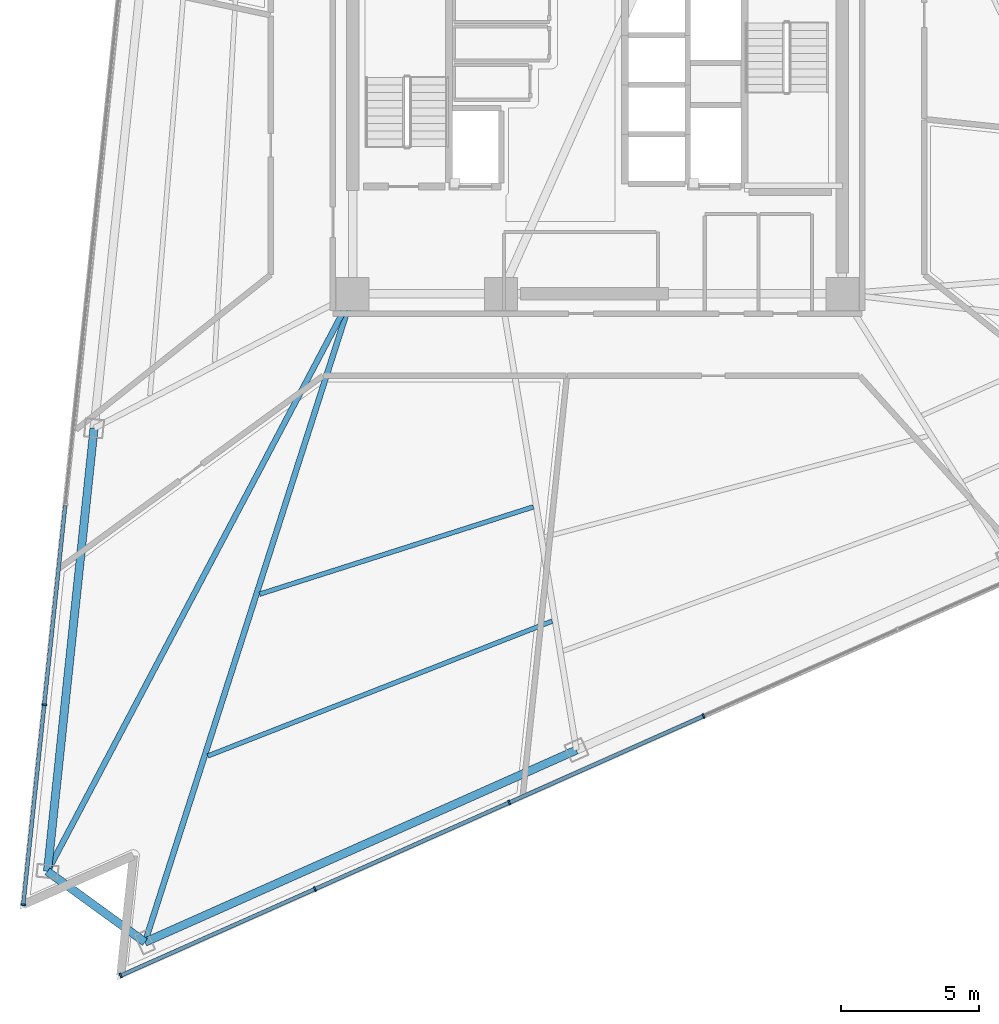
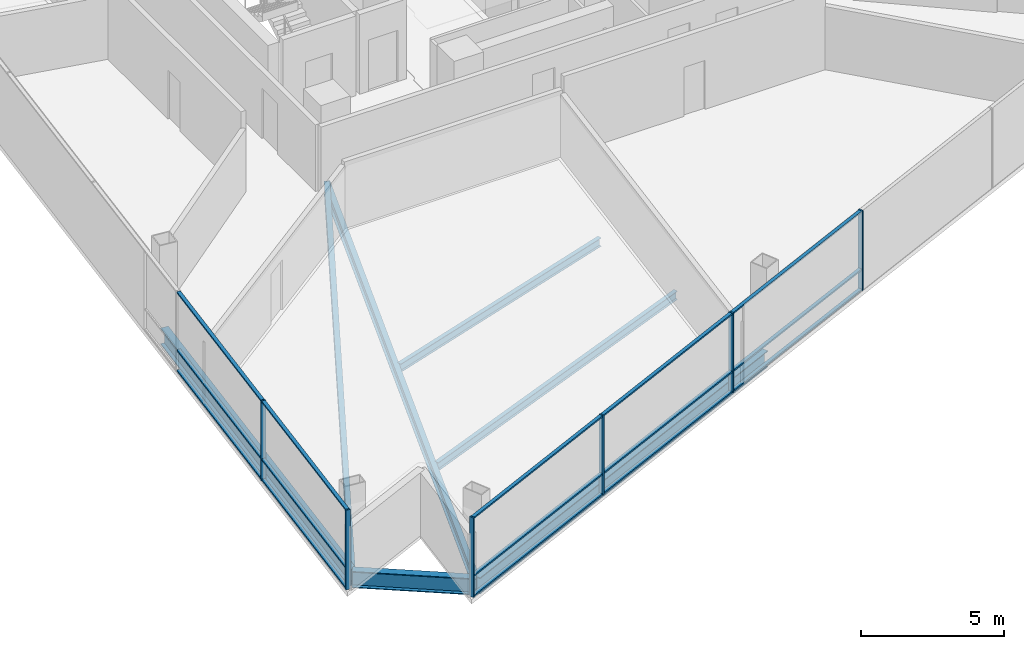
# One storey, part 2 of 19: 21 members, 7 beams, 2 elements without a shape of their own.
"""IFC4 building model written with IfcOpenShell, lengths in metres."""

from ifc_helpers import new_model, si_unit, direction, frame, origin, origin_2d, place, context, subcontext, project, spatial, rectangle, i_section, extrude, material, layer, layer_set, material_profile, profile_set, type_object, element, aggregate, save


model = new_model("IFC4")

# Units and contexts
model_context = context("Model", 3, precision=1e-05, world=origin(), true_north=direction((0.0, 1.0)))
body_context = subcontext(model_context, "Body", "Model", "MODEL_VIEW")
ifc_project = project(units=[si_unit("LENGTHUNIT", "METRE"), si_unit("AREAUNIT", "SQUARE_METRE"), si_unit("VOLUMEUNIT", "CUBIC_METRE"), si_unit("PLANEANGLEUNIT", "RADIAN"), si_unit("MASSUNIT", "GRAM", prefix="KILO")], contexts=[model_context])

# Site, building, storey
site_placement = place(None, origin())
site = spatial("IfcSite", under=ifc_project, at=site_placement, CompositionType="ELEMENT")
building_placement = place(site_placement, origin())
building = spatial("IfcBuilding", under=site, at=building_placement, Name="Tharavind Bronze Gate", CompositionType="ELEMENT")
storey_placement = place(building_placement, frame((0.0, 0.0, 116.050048828125)))
storey = spatial("IfcBuildingStorey", under=building, at=storey_placement, Name="L29", CompositionType="ELEMENT", Elevation=116.050048828125)

# Curtain wall, members
ifc_material_1 = material(Name="Anodised Bronze Aluminium", Category="aluminium")
ifc_layer = layer(ifc_material_1, 0.219970703125)
ifc_layer_set = layer_set([ifc_layer], Name="Anodised Bronze Aluminium")
curtain_wall_type = type_object("IfcCurtainWallType", Name="UNITISED CURTAIN WALL LOWER OFFICE", PredefinedType="USERDEFINED", material=ifc_layer_set)
curtain_wall_1_placement = place(storey_placement, origin())
curtain_wall_1 = element("IfcCurtainWall", 1, at=curtain_wall_1_placement, inside=storey, type_object=curtain_wall_type, Name="L29 unitised curtain wall lower office CW-L29-S1", ObjectType="UNITISED CURTAIN WALL", PredefinedType="USERDEFINED")
member_type_1 = type_object("IfcMemberType", Name="CURTAIN WALL BRONZE MULLION 65X180", PredefinedType="MULLION", material=ifc_material_1)
member_1_placement = place(storey_placement, frame((-20.1142578125, -22.5380859375, 0.0), z_axis=(0.0, 0.0, 1.0), x_axis=(-0.104526727499, -0.994522077803, 0.0)))
member_1 = element("IfcMember", 2, at=member_1_placement, type_object=member_type_1, Name="CW-L29-S1 mullion 7", PredefinedType="MULLION", context=body_context, shape_type="SweptSolid", body=[
    extrude(rectangle(XDim=0.06494140625, YDim=0.179931640625, at=origin_2d()), origin(), (0.0, 0.0, 1.0), 3.409912109375),
])
member_2_placement = place(storey_placement, frame((-20.878662109375, -29.811279296875, 0.0), z_axis=(0.0, 0.0, 1.0), x_axis=(-0.104526727499, -0.994522077803, 0.0)))
member_2 = element("IfcMember", 3, at=member_2_placement, type_object=member_type_1, Name="CW-L29-S1 mullion 8", PredefinedType="MULLION", context=body_context, shape_type="SweptSolid", body=[
    extrude(rectangle(XDim=0.06494140625, YDim=0.179931640625, at=origin_2d()), origin(), (0.0, 0.0, 1.0), 3.409912109375),
])

curtain_wall_2_placement = place(storey_placement, origin())
curtain_wall_2 = element("IfcCurtainWall", 4, at=curtain_wall_2_placement, inside=storey, type_object=curtain_wall_type, Name="L29 unitised curtain wall lower office CW-L29-S2", ObjectType="UNITISED CURTAIN WALL", PredefinedType="USERDEFINED")
member_3_placement = place(storey_placement, frame((-17.335205078125, -32.3857421875, 0.0), z_axis=(0.0, 0.0, 1.0), x_axis=(0.913545457643, 0.406736643076, 0.0)))
member_3 = element("IfcMember", 5, at=member_3_placement, type_object=member_type_1, Name="CW-L29-S2 mullion 1", PredefinedType="MULLION", context=body_context, shape_type="SweptSolid", body=[
    extrude(rectangle(XDim=0.06494140625, YDim=0.179931640625, at=origin_2d()), origin(), (0.0, 0.0, 1.0), 3.409912109375),
])
member_4_placement = place(storey_placement, frame((-10.273193359375, -29.241455078125, 0.0), z_axis=(0.0, 0.0, 1.0), x_axis=(0.913545457643, 0.406736643076, 0.0)))
member_4 = element("IfcMember", 6, at=member_4_placement, type_object=member_type_1, Name="CW-L29-S2 mullion 2", PredefinedType="MULLION", context=body_context, shape_type="SweptSolid", body=[
    extrude(rectangle(XDim=0.06494140625, YDim=0.179931640625, at=origin_2d()), origin(), (0.0, 0.0, 1.0), 3.409912109375),
])
member_5_placement = place(storey_placement, frame((-3.2109375, -26.097412109375, 0.0), z_axis=(0.0, 0.0, 1.0), x_axis=(0.913545457643, 0.406736643076, 0.0)))
member_5 = element("IfcMember", 7, at=member_5_placement, type_object=member_type_1, Name="CW-L29-S2 mullion 3", PredefinedType="MULLION", context=body_context, shape_type="SweptSolid", body=[
    extrude(rectangle(XDim=0.06494140625, YDim=0.179931640625, at=origin_2d()), origin(), (0.0, 0.0, 1.0), 3.409912109375),
])
member_6_placement = place(storey_placement, frame((3.851318359375, -22.952880859375, 0.0), z_axis=(0.0, 0.0, 1.0), x_axis=(0.913545457643, 0.406736643076, 0.0)))
member_6 = element("IfcMember", 8, at=member_6_placement, type_object=member_type_1, Name="CW-L29-S2 mullion 4", PredefinedType="MULLION", context=body_context, shape_type="SweptSolid", body=[
    extrude(rectangle(XDim=0.06494140625, YDim=0.179931640625, at=origin_2d()), origin(), (0.0, 0.0, 1.0), 3.409912109375),
])

# Member
member_type_2 = type_object("IfcMemberType", Name="CURTAIN WALL BRONZE TRANSOM 65X140", PredefinedType="USERDEFINED", material=ifc_material_1)
member_7_placement = place(storey_placement, frame((-19.73193359375, -18.9013671875, 0.0), z_axis=(0.0, 0.0, 1.0), x_axis=(-0.104526727499, -0.994522077803, 0.0)))
member_7 = element("IfcMember", 9, at=member_7_placement, type_object=member_type_2, Name="CW-L29-S1 transom TB6", ObjectType="TRANSOM", PredefinedType="USERDEFINED", context=body_context, shape_type="SweptSolid", body=[
    extrude(rectangle(XDim=7.26025390625, YDim=0.139892578125, at=origin_2d()), origin(), (0.0, 0.0, 1.0), 0.06494140625),
])

member_8_placement = place(storey_placement, frame((-19.73193359375, -18.9013671875, 0.867431640625), z_axis=(0.0, 0.0, 1.0), x_axis=(-0.104526727499, -0.994522077803, 0.0)))
member_8 = element("IfcMember", 10, at=member_8_placement, type_object=member_type_2, Name="CW-L29-S1 transom TS6", ObjectType="TRANSOM", PredefinedType="USERDEFINED", context=body_context, shape_type="SweptSolid", body=[
    extrude(rectangle(XDim=7.26025390625, YDim=0.139892578125, at=origin_2d()), origin(), (0.0, 0.0, 1.0), 0.06494140625),
])

member_9_placement = place(storey_placement, frame((-19.73193359375, -18.9013671875, 3.344970703125), z_axis=(0.0, 0.0, 1.0), x_axis=(-0.104526727499, -0.994522077803, 0.0)))
member_9 = element("IfcMember", 11, at=member_9_placement, type_object=member_type_2, Name="CW-L29-S1 transom TT6", ObjectType="TRANSOM", PredefinedType="USERDEFINED", context=body_context, shape_type="SweptSolid", body=[
    extrude(rectangle(XDim=7.26025390625, YDim=0.139892578125, at=origin_2d()), origin(), (0.0, 0.0, 1.0), 0.06494140625),
])

member_10_placement = place(storey_placement, frame((-20.49658203125, -26.1748046875, 0.0), z_axis=(0.0, 0.0, 1.0), x_axis=(-0.104526727499, -0.994522077803, 0.0)))
member_10 = element("IfcMember", 12, at=member_10_placement, type_object=member_type_2, Name="CW-L29-S1 transom TB7", ObjectType="TRANSOM", PredefinedType="USERDEFINED", context=body_context, shape_type="SweptSolid", body=[
    extrude(rectangle(XDim=7.26025390625, YDim=0.139892578125, at=origin_2d()), origin(), (0.0, 0.0, 1.0), 0.06494140625),
])

member_11_placement = place(storey_placement, frame((-20.49658203125, -26.1748046875, 0.867431640625), z_axis=(0.0, 0.0, 1.0), x_axis=(-0.104526727499, -0.994522077803, 0.0)))
member_11 = element("IfcMember", 13, at=member_11_placement, type_object=member_type_2, Name="CW-L29-S1 transom TS7", ObjectType="TRANSOM", PredefinedType="USERDEFINED", context=body_context, shape_type="SweptSolid", body=[
    extrude(rectangle(XDim=7.26025390625, YDim=0.139892578125, at=origin_2d()), origin(), (0.0, 0.0, 1.0), 0.06494140625),
])

member_12_placement = place(storey_placement, frame((-20.49658203125, -26.1748046875, 3.344970703125), z_axis=(0.0, 0.0, 1.0), x_axis=(-0.104526727499, -0.994522077803, 0.0)))
member_12 = element("IfcMember", 14, at=member_12_placement, type_object=member_type_2, Name="CW-L29-S1 transom TT7", ObjectType="TRANSOM", PredefinedType="USERDEFINED", context=body_context, shape_type="SweptSolid", body=[
    extrude(rectangle(XDim=7.26025390625, YDim=0.139892578125, at=origin_2d()), origin(), (0.0, 0.0, 1.0), 0.06494140625),
])

aggregate(curtain_wall_1, [member_1, member_2, member_7, member_8, member_9, member_10, member_11, member_12])

member_13_placement = place(storey_placement, frame((-13.80419921875, -30.813720703125, 0.0), z_axis=(0.0, 0.0, 1.0), x_axis=(0.913545457643, 0.406736643076, 0.0)))
member_13 = element("IfcMember", 15, at=member_13_placement, type_object=member_type_2, Name="CW-L29-S2 transom TB1", ObjectType="TRANSOM", PredefinedType="USERDEFINED", context=body_context, shape_type="SweptSolid", body=[
    extrude(rectangle(XDim=7.677490234375, YDim=0.139892578125, at=origin_2d()), origin(), (0.0, 0.0, 1.0), 0.06494140625),
])

member_14_placement = place(storey_placement, frame((-13.80419921875, -30.813720703125, 0.867431640625), z_axis=(0.0, 0.0, 1.0), x_axis=(0.913545457643, 0.406736643076, 0.0)))
member_14 = element("IfcMember", 16, at=member_14_placement, type_object=member_type_2, Name="CW-L29-S2 transom TS1", ObjectType="TRANSOM", PredefinedType="USERDEFINED", context=body_context, shape_type="SweptSolid", body=[
    extrude(rectangle(XDim=7.677490234375, YDim=0.139892578125, at=origin_2d()), origin(), (0.0, 0.0, 1.0), 0.06494140625),
])

member_15_placement = place(storey_placement, frame((-13.80419921875, -30.813720703125, 3.344970703125), z_axis=(0.0, 0.0, 1.0), x_axis=(0.913545457643, 0.406736643076, 0.0)))
member_15 = element("IfcMember", 17, at=member_15_placement, type_object=member_type_2, Name="CW-L29-S2 transom TT1", ObjectType="TRANSOM", PredefinedType="USERDEFINED", context=body_context, shape_type="SweptSolid", body=[
    extrude(rectangle(XDim=7.677490234375, YDim=0.139892578125, at=origin_2d()), origin(), (0.0, 0.0, 1.0), 0.06494140625),
])

member_16_placement = place(storey_placement, frame((-6.741943359375, -27.66943359375, 0.0), z_axis=(0.0, 0.0, 1.0), x_axis=(0.913545457643, 0.406736643076, 0.0)))
member_16 = element("IfcMember", 18, at=member_16_placement, type_object=member_type_2, Name="CW-L29-S2 transom TB2", ObjectType="TRANSOM", PredefinedType="USERDEFINED", context=body_context, shape_type="SweptSolid", body=[
    extrude(rectangle(XDim=7.677490234375, YDim=0.139892578125, at=origin_2d()), origin(), (0.0, 0.0, 1.0), 0.06494140625),
])

member_17_placement = place(storey_placement, frame((-6.741943359375, -27.66943359375, 0.867431640625), z_axis=(0.0, 0.0, 1.0), x_axis=(0.913545457643, 0.406736643076, 0.0)))
member_17 = element("IfcMember", 19, at=member_17_placement, type_object=member_type_2, Name="CW-L29-S2 transom TS2", ObjectType="TRANSOM", PredefinedType="USERDEFINED", context=body_context, shape_type="SweptSolid", body=[
    extrude(rectangle(XDim=7.677490234375, YDim=0.139892578125, at=origin_2d()), origin(), (0.0, 0.0, 1.0), 0.06494140625),
])

member_18_placement = place(storey_placement, frame((-6.741943359375, -27.66943359375, 3.344970703125), z_axis=(0.0, 0.0, 1.0), x_axis=(0.913545457643, 0.406736643076, 0.0)))
member_18 = element("IfcMember", 20, at=member_18_placement, type_object=member_type_2, Name="CW-L29-S2 transom TT2", ObjectType="TRANSOM", PredefinedType="USERDEFINED", context=body_context, shape_type="SweptSolid", body=[
    extrude(rectangle(XDim=7.677490234375, YDim=0.139892578125, at=origin_2d()), origin(), (0.0, 0.0, 1.0), 0.06494140625),
])

member_19_placement = place(storey_placement, frame((0.3203125, -24.525146484375, 0.0), z_axis=(0.0, 0.0, 1.0), x_axis=(0.913545457643, 0.406736643076, 0.0)))
member_19 = element("IfcMember", 21, at=member_19_placement, type_object=member_type_2, Name="CW-L29-S2 transom TB3", ObjectType="TRANSOM", PredefinedType="USERDEFINED", context=body_context, shape_type="SweptSolid", body=[
    extrude(rectangle(XDim=7.677490234375, YDim=0.139892578125, at=origin_2d()), origin(), (0.0, 0.0, 1.0), 0.06494140625),
])

member_20_placement = place(storey_placement, frame((0.3203125, -24.525146484375, 0.867431640625), z_axis=(0.0, 0.0, 1.0), x_axis=(0.913545457643, 0.406736643076, 0.0)))
member_20 = element("IfcMember", 22, at=member_20_placement, type_object=member_type_2, Name="CW-L29-S2 transom TS3", ObjectType="TRANSOM", PredefinedType="USERDEFINED", context=body_context, shape_type="SweptSolid", body=[
    extrude(rectangle(XDim=7.677490234375, YDim=0.139892578125, at=origin_2d()), origin(), (0.0, 0.0, 1.0), 0.06494140625),
])

member_21_placement = place(storey_placement, frame((0.3203125, -24.525146484375, 3.344970703125), z_axis=(0.0, 0.0, 1.0), x_axis=(0.913545457643, 0.406736643076, 0.0)))
member_21 = element("IfcMember", 23, at=member_21_placement, type_object=member_type_2, Name="CW-L29-S2 transom TT3", ObjectType="TRANSOM", PredefinedType="USERDEFINED", context=body_context, shape_type="SweptSolid", body=[
    extrude(rectangle(XDim=7.677490234375, YDim=0.139892578125, at=origin_2d()), origin(), (0.0, 0.0, 1.0), 0.06494140625),
])

aggregate(curtain_wall_2, [member_3, member_4, member_5, member_6, member_13, member_14, member_15, member_16, member_17, member_18, member_19, member_20, member_21])

# Beams
ifc_material_2 = material(Name="Steel S355", Category="steel")
ifc_material_profile_1 = material_profile(ifc_material_2, i_section(OverallWidth=0.2099609375, OverallDepth=0.550048828125, WebThickness=0.010986328125, FlangeThickness=0.01708984375, at=origin_2d()), Name="IPE550")
ifc_profile_set_1 = profile_set([ifc_material_profile_1], Name="Steel S355")
beam_type_1 = type_object("IfcBeamType", Name="PRIMARY GIRDER IPE550", PredefinedType="USERDEFINED", material=ifc_profile_set_1)
beam_1_placement = place(storey_placement, frame((-19.9970703125, -28.597900390625, -0.465087890625), z_axis=(0.467252343424, 0.884124000107, 0.0), x_axis=(-0.884124000107, 0.467252343424, 0.0)))
element("IfcBeam", 24, at=beam_1_placement, inside=storey, type_object=beam_type_1, Name="L29 primary girder ipe550 BM-L29-RAD04", ObjectType="GIRDER", PredefinedType="USERDEFINED", context=body_context, shape_type="SweptSolid", body=[
    extrude(i_section(OverallWidth=0.2099609375, OverallDepth=0.550048828125, WebThickness=0.010986328125, FlangeThickness=0.01708984375, at=origin_2d()), origin(), (0.0, 0.0, 1.0), 23.749755859375),
])
beam_2_placement = place(storey_placement, frame((-16.45361328125, -31.17236328125, -0.465087890625), z_axis=(0.305163640021, 0.952299927969, 0.0), x_axis=(-0.952299927969, 0.305163640021, 0.0)))
element("IfcBeam", 25, at=beam_2_placement, inside=storey, type_object=beam_type_1, Name="L29 primary girder ipe550 BM-L29-RAD05", ObjectType="GIRDER", PredefinedType="USERDEFINED", context=body_context, shape_type="SweptSolid", body=[
    extrude(i_section(OverallWidth=0.2099609375, OverallDepth=0.550048828125, WebThickness=0.010986328125, FlangeThickness=0.01708984375, at=origin_2d()), origin(), (0.0, 0.0, 1.0), 24.7529296875),
])
ifc_material_profile_2 = material_profile(ifc_material_2, i_section(OverallWidth=0.300048828125, OverallDepth=0.699951171875, WebThickness=0.01708984375, FlangeThickness=0.031982421875, at=origin_2d()), Name="HE700B")
ifc_profile_set_2 = profile_set([ifc_material_profile_2], Name="Steel S355")
beam_type_2 = type_object("IfcBeamType", Name="RING GIRDER HE700B", PredefinedType="USERDEFINED", material=ifc_profile_set_2)
beam_3_placement = place(storey_placement, frame((-18.303955078125, -12.488037109375, -0.5400390625), z_axis=(-0.104522380175, -0.994522534708, 0.0), x_axis=(0.994522534708, -0.104522380175, 0.0)))
element("IfcBeam", 26, at=beam_3_placement, inside=storey, type_object=beam_type_2, Name="L29 ring girder he700b BM-L29-PRG03", ObjectType="GIRDER", PredefinedType="USERDEFINED", context=body_context, shape_type="SweptSolid", body=[
    extrude(i_section(OverallWidth=0.300048828125, OverallDepth=0.699951171875, WebThickness=0.01708984375, FlangeThickness=0.031982421875, at=origin_2d()), origin(), (0.0, 0.0, 1.0), 16.198486328125),
])
beam_4_placement = place(storey_placement, frame((-19.9970703125, -28.597900390625, -0.5400390625), z_axis=(0.809018008275, -0.587783856777, 0.0), x_axis=(0.587783856777, 0.809018008275, 0.0)))
element("IfcBeam", 27, at=beam_4_placement, inside=storey, type_object=beam_type_2, Name="L29 ring girder he700b BM-L29-PRG04", ObjectType="GIRDER", PredefinedType="USERDEFINED", context=body_context, shape_type="SweptSolid", body=[
    extrude(i_section(OverallWidth=0.300048828125, OverallDepth=0.699951171875, WebThickness=0.01708984375, FlangeThickness=0.031982421875, at=origin_2d()), origin(), (0.0, 0.0, 1.0), 4.3798828125),
])
beam_5_placement = place(storey_placement, frame((-16.45361328125, -31.17236328125, -0.5400390625), z_axis=(0.913546351362, 0.406734635744, 0.0), x_axis=(-0.406734635744, 0.913546351362, 0.0)))
element("IfcBeam", 28, at=beam_5_placement, inside=storey, type_object=beam_type_2, Name="L29 ring girder he700b BM-L29-PRG05", ObjectType="GIRDER", PredefinedType="USERDEFINED", context=body_context, shape_type="SweptSolid", body=[
    extrude(i_section(OverallWidth=0.300048828125, OverallDepth=0.699951171875, WebThickness=0.01708984375, FlangeThickness=0.031982421875, at=origin_2d()), origin(), (0.0, 0.0, 1.0), 17.171875),
])
ifc_material_profile_3 = material_profile(ifc_material_2, i_section(OverallWidth=0.169921875, OverallDepth=0.360107421875, WebThickness=0.008056640625, FlangeThickness=0.0126953125, at=origin_2d()), Name="IPE360")
ifc_profile_set_3 = profile_set([ifc_material_profile_3], Name="Steel S355")
beam_type_3 = type_object("IfcBeamType", Name="SECONDARY FLOOR JOIST IPE360", PredefinedType="JOIST", material=ifc_profile_set_3)
beam_6_placement = place(storey_placement, frame((-12.285888671875, -18.520751953125, -0.3701171875), z_axis=(0.952718678144, 0.303853781144, 0.0), x_axis=(-0.303853781144, 0.952718678144, 0.0)))
element("IfcBeam", 29, at=beam_6_placement, inside=storey, type_object=beam_type_3, Name="L29 secondary floor joist ipe360 BM-L29-JSTA05", PredefinedType="JOIST", context=body_context, shape_type="SweptSolid", body=[
    extrude(i_section(OverallWidth=0.169921875, OverallDepth=0.360107421875, WebThickness=0.008056640625, FlangeThickness=0.0126953125, at=origin_2d()), origin(), (0.0, 0.0, 1.0), 10.446044921875),
])
beam_7_placement = place(storey_placement, frame((-14.1708984375, -24.4033203125, -0.3701171875), z_axis=(0.931178744784, 0.364562951028, 0.0), x_axis=(-0.364562951028, 0.931178744784, 0.0)))
element("IfcBeam", 30, at=beam_7_placement, inside=storey, type_object=beam_type_3, Name="L29 secondary floor joist ipe360 BM-L29-JSTB05", PredefinedType="JOIST", context=body_context, shape_type="SweptSolid", body=[
    extrude(i_section(OverallWidth=0.169921875, OverallDepth=0.360107421875, WebThickness=0.008056640625, FlangeThickness=0.0126953125, at=origin_2d()), origin(), (0.0, 0.0, 1.0), 13.447265625),
])

save(model, "model.ifc")
